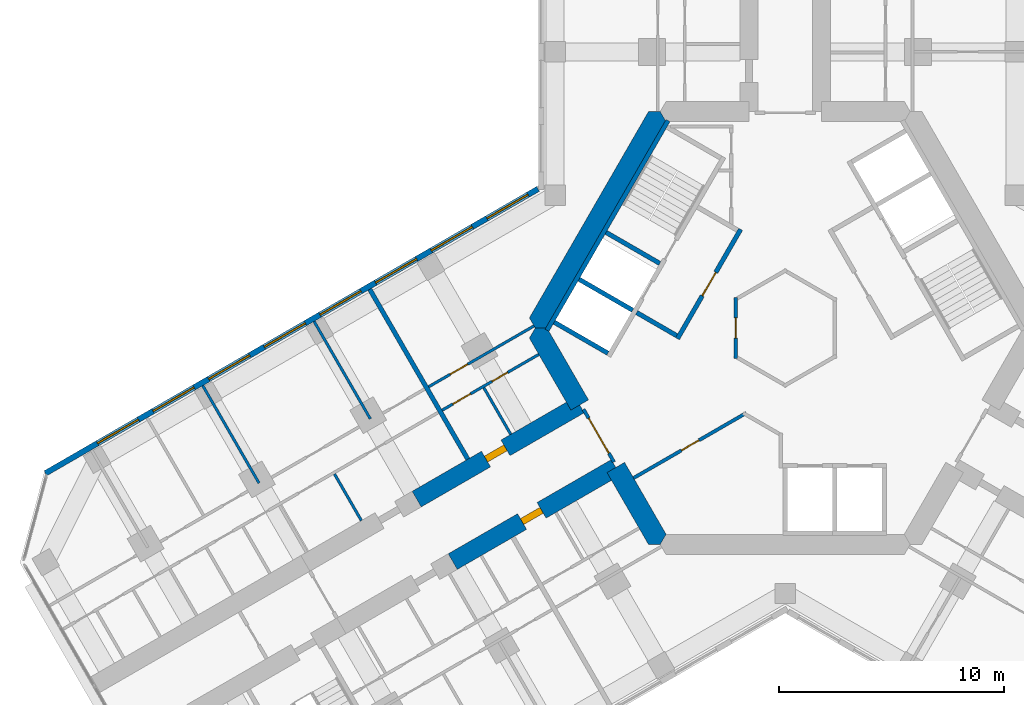
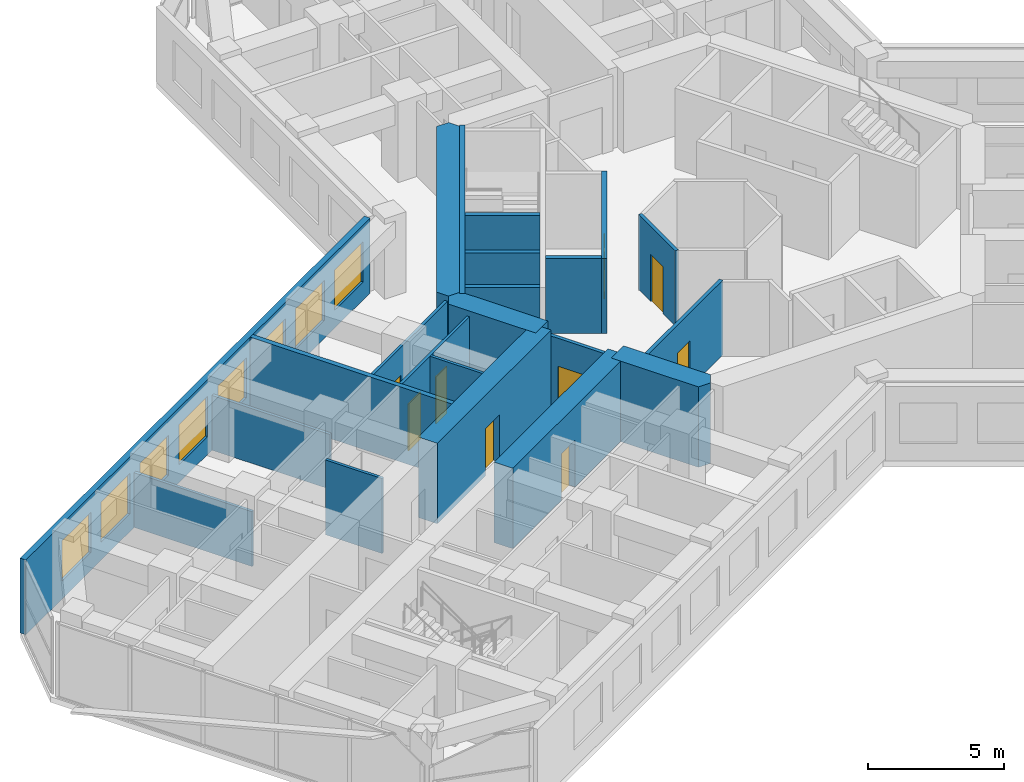
# One storey, part 12 of 19: 22 walls, 9 doors, 8 windows, 17 openings.
"""IFC4 building model written with IfcOpenShell, lengths in metres."""

from ifc_helpers import new_model, si_unit, direction, frame, frame_2d, origin, place, context, subcontext, project, spatial, polyline, rectangle, outline, extrude, material, layer, layer_set, type_object, element, fill, save


model = new_model("IFC4")

# Units and contexts
model_context = context("Model", 3, precision=1e-05, world=origin(), true_north=direction((0.0, 1.0)))
body_context = subcontext(model_context, "Body", "Model", "MODEL_VIEW")
ifc_project = project(units=[si_unit("LENGTHUNIT", "METRE"), si_unit("AREAUNIT", "SQUARE_METRE"), si_unit("VOLUMEUNIT", "CUBIC_METRE"), si_unit("PLANEANGLEUNIT", "RADIAN"), si_unit("MASSUNIT", "GRAM", prefix="KILO")], contexts=[model_context])

# Site, building, storey
site_placement = place(None, origin())
site = spatial("IfcSite", under=ifc_project, at=site_placement, CompositionType="ELEMENT")
building_placement = place(site_placement, origin())
building = spatial("IfcBuilding", under=site, at=building_placement, Name="Kosmar Iwan School Tower", CompositionType="ELEMENT")
storey_placement = place(building_placement, frame((0.0, 0.0, 138.199951171875)))
storey = spatial("IfcBuildingStorey", under=building, at=storey_placement, Name="L34", CompositionType="ELEMENT", Elevation=138.199951171875)

# Wall, opening, door
ifc_material_1 = material(Name="Gypsum board on steel studs, fire-rated", Category="steel")
ifc_layer_1 = layer(ifc_material_1, 0.14990234375)
ifc_layer_set_1 = layer_set([ifc_layer_1], Name="Core room partition 150")
wall_type_1 = type_object("IfcWallType", Name="Core room partition 150", PredefinedType="PARTITIONING", material=ifc_layer_set_1)
wall_1_placement = place(storey_placement, frame((-6.728515625, -6.656005859375, 0.0), z_axis=(0.0, 0.0, 1.0), x_axis=(0.866017062469, 0.500014447304, 0.0)))
wall_1 = element("IfcWall", 1, at=wall_1_placement, inside=storey, type_object=wall_type_1, Name="Core room partition L34-CW5", PredefinedType="PARTITIONING", context=body_context, shape_type="SweptSolid", body=[
    extrude(rectangle(XDim=5.765869140625, YDim=0.14990234375, at=frame_2d((2.8828125, 0.0))), origin(), (0.0, 0.0, 1.0), 3.35009765625),
])
opening_1_placement = place(wall_1_placement, frame((2.452880859375, 0.0, 0.0)))
opening_1 = element("IfcOpeningElement", 2, at=opening_1_placement, cuts=wall_1, Name="Opening D14", PredefinedType="OPENING", context=body_context, shape_type="SweptSolid", body=[
    extrude(rectangle(XDim=0.89990234375, YDim=2.10009765625, at=frame_2d((0.449951171875, 1.050048828125))), frame((0.0, 0.0869140625, 0.0), z_axis=(0.0, -1.0, 0.0), x_axis=(1.0, 0.0, 0.0)), (0.0, 0.0, 1.0), 0.173828125),
])
ifc_material_2 = material(Name="Timber fire door in steel frame", Category="steel")
door_type_1 = type_object("IfcDoorType", Name="Core room door 900x2100", OperationType="SINGLE_SWING_LEFT", PredefinedType="DOOR", material=ifc_material_2)
door_1_placement = place(opening_1_placement, origin())
door_1 = element("IfcDoor", 3, at=door_1_placement, inside=storey, type_object=door_type_1, Name="Parcel room door L34 3", OperationType="SINGLE_SWING_LEFT", OverallHeight=2.10009765625, OverallWidth=0.89990234375, PredefinedType="DOOR", context=body_context, shape_type="SweptSolid", body=[
    extrude(rectangle(XDim=0.89990234375, YDim=2.10009765625, at=frame_2d((0.449951171875, 1.050048828125))), frame((0.0, 0.02490234375, 0.0), z_axis=(0.0, -1.0, 0.0), x_axis=(1.0, 0.0, 0.0)), (0.0, 0.0, 1.0), 0.050048828125),
])
fill(opening_1, door_1)

wall_2_placement = place(storey_placement, frame((-2.199951171875, -1.34521484375, 0.0), z_axis=(0.0, 0.0, 1.0), x_axis=(0.0, 1.0, 0.0)))
wall_2 = element("IfcWall", 4, at=wall_2_placement, inside=storey, type_object=wall_type_1, Name="Core room partition L34-CW10", PredefinedType="PARTITIONING", context=body_context, shape_type="SweptSolid", body=[
    extrude(rectangle(XDim=2.6904296875, YDim=0.14990234375, at=frame_2d((1.34521484375, 0.0))), origin(), (0.0, 0.0, 1.0), 3.35009765625),
])
opening_2_placement = place(wall_2_placement, frame((0.89501953125, 0.0, 0.0)))
opening_2 = element("IfcOpeningElement", 5, at=opening_2_placement, cuts=wall_2, Name="Opening D14", PredefinedType="OPENING", context=body_context, shape_type="SweptSolid", body=[
    extrude(rectangle(XDim=0.89990234375, YDim=2.10009765625, at=frame_2d((0.449951171875, 1.050048828125))), frame((0.0, 0.0869140625, 0.0), z_axis=(0.0, -1.0, 0.0), x_axis=(1.0, 0.0, 0.0)), (0.0, 0.0, 1.0), 0.173828125),
])
door_2_placement = place(opening_2_placement, origin())
door_2 = element("IfcDoor", 6, at=door_2_placement, inside=storey, type_object=door_type_1, Name="Housekeeping store door L34 4", OperationType="SINGLE_SWING_RIGHT", OverallHeight=2.10009765625, OverallWidth=0.89990234375, PredefinedType="DOOR", context=body_context, shape_type="SweptSolid", body=[
    extrude(rectangle(XDim=0.89990234375, YDim=2.10009765625, at=frame_2d((0.449951171875, 1.050048828125))), frame((0.0, 0.02490234375, 0.0), z_axis=(0.0, -1.0, 0.0), x_axis=(1.0, 0.0, 0.0)), (0.0, 0.0, 1.0), 0.050048828125),
])
fill(opening_2, door_2)

# Walls
ifc_material_3 = material(Name="Concrete C50/60", Category="concrete")
ifc_layer_2 = layer(ifc_material_3, 0.89990234375)
ifc_layer_set_2 = layer_set([ifc_layer_2], Name="Core wall 900")
wall_type_2 = type_object("IfcWallType", Name="Core wall 900", PredefinedType="SHEAR", material=ifc_layer_set_2)
wall_3_placement = place(storey_placement, origin())
element("IfcWall", 7, at=wall_3_placement, inside=storey, type_object=wall_type_2, Name="Core wall F150", PredefinedType="SHEAR", context=body_context, shape_type="SweptSolid", body=[
    extrude(outline(polyline([(-11.085205078125, 0.0), (-10.5654296875, 0.0), (-5.28271484375, 9.14990234375), (-5.54248046875, 9.60009765625), (-6.062255859375, 9.60009765625), (-11.344970703125, 0.449951171875), (-11.085205078125, 0.0)])), origin(), (0.0, 0.0, 1.0), 3.60009765625),
])
wall_4_placement = place(storey_placement, origin())
element("IfcWall", 8, at=wall_4_placement, inside=storey, type_object=wall_type_2, Name="Core wall F210a", PredefinedType="SHEAR", context=body_context, shape_type="SweptSolid", body=[
    extrude(outline(polyline([(-9.503662109375, -3.639404296875), (-8.72412109375, -3.189453125), (-10.5654296875, 0.0), (-11.085205078125, 0.0), (-11.344970703125, -0.449951171875), (-9.503662109375, -3.639404296875)])), origin(), (0.0, 0.0, 1.0), 3.60009765625),
])
wall_5_placement = place(storey_placement, origin())
element("IfcWall", 9, at=wall_5_placement, inside=storey, type_object=wall_type_2, Name="Core wall F210b", PredefinedType="SHEAR", context=body_context, shape_type="SweptSolid", body=[
    extrude(outline(polyline([(-6.062255859375, -9.60009765625), (-5.54248046875, -9.60009765625), (-5.28271484375, -9.14990234375), (-7.1240234375, -5.960693359375), (-7.903564453125, -6.41064453125), (-6.062255859375, -9.60009765625)])), origin(), (0.0, 0.0, 1.0), 3.60009765625),
])

# Wall, opening, door
ifc_material_4 = material(Name="Concrete C50/60", Category="concrete")
ifc_layer_3 = layer(ifc_material_4, 0.800048828125)
ifc_layer_set_3 = layer_set([ifc_layer_3], Name="Corridor buttress wall 800")
wall_type_3 = type_object("IfcWallType", Name="Corridor buttress wall 800", PredefinedType="SHEAR", material=ifc_layer_set_3)
wall_6_placement = place(storey_placement, frame((-7.513916015625, -6.185546875, 0.0), z_axis=(0.0, 0.0, 1.0), x_axis=(-0.866019549707, -0.500010139422, 0.0)))
wall_6 = element("IfcWall", 10, at=wall_6_placement, inside=storey, type_object=wall_type_3, Name="Corridor wall BL", PredefinedType="SHEAR", context=body_context, shape_type="SweptSolid", body=[
    extrude(rectangle(XDim=8.349853515625, YDim=0.800048828125, at=frame_2d((4.1748046875, 0.0))), origin(), (0.0, 0.0, 1.0), 3.60009765625),
])
opening_3_placement = place(wall_6_placement, frame((3.800048828125, 0.0, 0.0)))
opening_3 = element("IfcOpeningElement", 11, at=opening_3_placement, cuts=wall_6, Name="Opening D1", PredefinedType="OPENING", context=body_context, shape_type="SweptSolid", body=[
    extrude(rectangle(XDim=1.0, YDim=2.10009765625, at=frame_2d((0.5, 1.050048828125))), frame((0.0, 0.412109375, 0.0), z_axis=(0.0, -1.0, 0.0), x_axis=(1.0, 0.0, 0.0)), (0.0, 0.0, 1.0), 0.823974609375),
])
ifc_material_5 = material(Name="Timber fire door in steel frame", Category="steel")
door_type_2 = type_object("IfcDoorType", Name="Flat entrance door 1000x2100", OperationType="SINGLE_SWING_LEFT", PredefinedType="DOOR", material=ifc_material_5)
door_3_placement = place(opening_3_placement, origin())
door_3 = element("IfcDoor", 12, at=door_3_placement, inside=storey, type_object=door_type_2, Name="Flat L34-BL1 entrance door", OperationType="SINGLE_SWING_LEFT", OverallHeight=2.10009765625, OverallWidth=1.0, PredefinedType="DOOR", context=body_context, shape_type="SweptSolid", body=[
    extrude(rectangle(XDim=1.0, YDim=2.10009765625, at=frame_2d((0.5, 1.050048828125))), frame((0.0, 0.14990234375, 0.0), z_axis=(0.0, -1.0, 0.0), x_axis=(1.0, 0.0, 0.0)), (0.0, 0.0, 1.0), 0.300048828125),
])
fill(opening_3, door_3)

wall_7_placement = place(storey_placement, frame((-9.11376953125, -3.414306640625, 0.0), z_axis=(0.0, 0.0, 1.0), x_axis=(-0.866026859388, -0.499997478812, 0.0)))
wall_7 = element("IfcWall", 13, at=wall_7_placement, inside=storey, type_object=wall_type_3, Name="Corridor wall BR", PredefinedType="SHEAR", context=body_context, shape_type="SweptSolid", body=[
    extrude(rectangle(XDim=8.35009765625, YDim=0.800048828125, at=frame_2d((4.175048828125, 0.0))), origin(), (0.0, 0.0, 1.0), 3.60009765625),
])
opening_4_placement = place(wall_7_placement, frame((3.800048828125, 0.0, 0.0)))
opening_4 = element("IfcOpeningElement", 14, at=opening_4_placement, cuts=wall_7, Name="Opening D1", PredefinedType="OPENING", context=body_context, shape_type="SweptSolid", body=[
    extrude(rectangle(XDim=1.0, YDim=2.10009765625, at=frame_2d((0.5, 1.050048828125))), frame((0.0, 0.412109375, 0.0), z_axis=(0.0, -1.0, 0.0), x_axis=(1.0, 0.0, 0.0)), (0.0, 0.0, 1.0), 0.823974609375),
])
door_4_placement = place(opening_4_placement, origin())
door_4 = element("IfcDoor", 15, at=door_4_placement, inside=storey, type_object=door_type_2, Name="Flat L34-BR1 entrance door", OperationType="SINGLE_SWING_RIGHT", OverallHeight=2.10009765625, OverallWidth=1.0, PredefinedType="DOOR", context=body_context, shape_type="SweptSolid", body=[
    extrude(rectangle(XDim=1.0, YDim=2.10009765625, at=frame_2d((0.5, 1.050048828125))), frame((0.0, 0.14990234375, 0.0), z_axis=(0.0, -1.0, 0.0), x_axis=(1.0, 0.0, 0.0)), (0.0, 0.0, 1.0), 0.300048828125),
])
fill(opening_4, door_4)

ifc_material_6 = material(Name="Steel framed glazed screen", Category="steel")
ifc_layer_4 = layer(ifc_material_6, 0.14990234375)
ifc_layer_set_4 = layer_set([ifc_layer_4], Name="Corridor screen wall 150")
wall_type_4 = type_object("IfcWallType", Name="Corridor screen wall 150", PredefinedType="PARTITIONING", material=ifc_layer_set_4)
wall_8_placement = place(storey_placement, frame((-8.945556640625, -3.60595703125, 0.0), z_axis=(0.0, 0.0, 1.0), x_axis=(0.500048589285, -0.86599734893, 0.0)))
wall_8 = element("IfcWall", 16, at=wall_8_placement, inside=storey, type_object=wall_type_4, Name="Corridor screen B L34", PredefinedType="PARTITIONING", context=body_context, shape_type="SweptSolid", body=[
    extrude(rectangle(XDim=2.699951171875, YDim=0.14990234375, at=frame_2d((1.35009765625, 0.0))), origin(), (0.0, 0.0, 1.0), 3.35009765625),
])
opening_5_placement = place(wall_8_placement, frame((0.449951171875, 0.0, 0.0)))
opening_5 = element("IfcOpeningElement", 17, at=opening_5_placement, cuts=wall_8, Name="Opening D9", PredefinedType="OPENING", context=body_context, shape_type="SweptSolid", body=[
    extrude(rectangle(XDim=1.800048828125, YDim=2.10009765625, at=frame_2d((0.89990234375, 1.050048828125))), frame((0.0, 0.0869140625, 0.0), z_axis=(0.0, -1.0, 0.0), x_axis=(1.0, 0.0, 0.0)), (0.0, 0.0, 1.0), 0.173828125),
])
ifc_material_7 = material(Name="Steel framed glazed smoke door", Category="steel")
door_type_3 = type_object("IfcDoorType", Name="Corridor smoke door pair 1800x2100", OperationType="DOUBLE_DOOR_DOUBLE_SWING", PredefinedType="DOOR", material=ifc_material_7)
door_5_placement = place(opening_5_placement, origin())
door_5 = element("IfcDoor", 18, at=door_5_placement, inside=storey, type_object=door_type_3, Name="Corridor doors B L34", OperationType="DOUBLE_DOOR_DOUBLE_SWING", OverallHeight=2.10009765625, OverallWidth=1.800048828125, PredefinedType="DOOR", context=body_context, shape_type="SweptSolid", body=[
    extrude(rectangle(XDim=1.800048828125, YDim=2.10009765625, at=frame_2d((0.89990234375, 1.050048828125))), frame((0.0, 0.02490234375, 0.0), z_axis=(0.0, -1.0, 0.0), x_axis=(1.0, 0.0, 0.0)), (0.0, 0.0, 1.0), 0.050048828125),
])
fill(opening_5, door_5)

# Wall, openings, doors
ifc_material_8 = material(Name="Gypsum board on steel studs", Category="steel")
ifc_layer_5 = layer(ifc_material_8, 0.1201171875)
ifc_layer_set_5 = layer_set([ifc_layer_5], Name="Dwelling partition 120")
wall_type_5 = type_object("IfcWallType", Name="Dwelling partition 120", PredefinedType="PARTITIONING", material=ifc_layer_set_5)
wall_9_placement = place(storey_placement, frame((-10.928466796875, -1.171142578125, 0.0), z_axis=(0.0, 0.0, 1.0), x_axis=(-0.866018855338, -0.500011342071, 0.0)))
wall_9 = element("IfcWall", 19, at=wall_9_placement, inside=storey, type_object=wall_type_5, Name="Partition L34-BR1-W1", PredefinedType="PARTITIONING", context=body_context, shape_type="SweptSolid", body=[
    extrude(rectangle(XDim=4.9501953125, YDim=0.1201171875, at=frame_2d((2.47509765625, 0.0))), origin(), (0.0, 0.0, 1.0), 3.35009765625),
])
opening_6_placement = place(wall_9_placement, frame((1.60009765625, 0.0, 0.0)))
opening_6 = element("IfcOpeningElement", 20, at=opening_6_placement, cuts=wall_9, Name="Opening D3", PredefinedType="OPENING", context=body_context, shape_type="SweptSolid", body=[
    extrude(rectangle(XDim=0.800048828125, YDim=2.10009765625, at=frame_2d((0.39990234375, 1.050048828125))), frame((0.0, 0.072021484375, 0.0), z_axis=(0.0, -1.0, 0.0), x_axis=(1.0, 0.0, 0.0)), (0.0, 0.0, 1.0), 0.14404296875),
])
opening_7_placement = place(wall_9_placement, frame((3.5, 0.0, 0.0)))
opening_7 = element("IfcOpeningElement", 21, at=opening_7_placement, cuts=wall_9, Name="Opening D2", PredefinedType="OPENING", context=body_context, shape_type="SweptSolid", body=[
    extrude(rectangle(XDim=0.89990234375, YDim=2.10009765625, at=frame_2d((0.449951171875, 1.050048828125))), frame((0.0, 0.072021484375, 0.0), z_axis=(0.0, -1.0, 0.0), x_axis=(1.0, 0.0, 0.0)), (0.0, 0.0, 1.0), 0.14404296875),
])
ifc_material_9 = material(Name="Timber door in timber frame", Category="wood")
door_type_4 = type_object("IfcDoorType", Name="Internal door 900x2100", OperationType="SINGLE_SWING_LEFT", PredefinedType="DOOR", material=ifc_material_9)
door_6_placement = place(opening_7_placement, origin())
door_6 = element("IfcDoor", 22, at=door_6_placement, inside=storey, type_object=door_type_4, Name="Entrance hall door L34-BR1-S2", OperationType="SINGLE_SWING_RIGHT", OverallHeight=2.10009765625, OverallWidth=0.89990234375, PredefinedType="DOOR", context=body_context, shape_type="SweptSolid", body=[
    extrude(rectangle(XDim=0.89990234375, YDim=2.10009765625, at=frame_2d((0.449951171875, 1.050048828125))), frame((0.0, 0.02490234375, 0.0), z_axis=(0.0, -1.0, 0.0), x_axis=(1.0, 0.0, 0.0)), (0.0, 0.0, 1.0), 0.050048828125),
])
fill(opening_7, door_6)
ifc_material_10 = material(Name="Timber door in timber frame", Category="wood")
door_type_5 = type_object("IfcDoorType", Name="Sanitary room door 800x2100", OperationType="SINGLE_SWING_LEFT", PredefinedType="DOOR", material=ifc_material_10)
door_7_placement = place(opening_6_placement, origin())
door_7 = element("IfcDoor", 23, at=door_7_placement, inside=storey, type_object=door_type_5, Name="Bathroom door L34-BR1-S1", OperationType="SINGLE_SWING_RIGHT", OverallHeight=2.10009765625, OverallWidth=0.800048828125, PredefinedType="DOOR", context=body_context, shape_type="SweptSolid", body=[
    extrude(rectangle(XDim=0.800048828125, YDim=2.10009765625, at=frame_2d((0.39990234375, 1.050048828125))), frame((0.0, 0.02490234375, 0.0), z_axis=(0.0, -1.0, 0.0), x_axis=(1.0, 0.0, 0.0)), (0.0, 0.0, 1.0), 0.050048828125),
])
fill(opening_6, door_7)

# Wall, opening, door
wall_10_placement = place(storey_placement, frame((-11.138916015625, 0.093017578125, 0.0), z_axis=(0.0, 0.0, 1.0), x_axis=(-0.866028230842, -0.499995103361, 0.0)))
wall_10 = element("IfcWall", 24, at=wall_10_placement, inside=storey, type_object=wall_type_5, Name="Partition L34-BR1-W2", PredefinedType="PARTITIONING", context=body_context, shape_type="SweptSolid", body=[
    extrude(rectangle(XDim=5.39990234375, YDim=0.1201171875, at=frame_2d((2.699951171875, 0.0))), origin(), (0.0, 0.0, 1.0), 3.35009765625),
])
opening_8_placement = place(wall_10_placement, frame((3.39990234375, 0.0, 0.0)))
opening_8 = element("IfcOpeningElement", 25, at=opening_8_placement, cuts=wall_10, Name="Opening D2", PredefinedType="OPENING", context=body_context, shape_type="SweptSolid", body=[
    extrude(rectangle(XDim=0.89990234375, YDim=2.10009765625, at=frame_2d((0.449951171875, 1.050048828125))), frame((0.0, 0.072021484375, 0.0), z_axis=(0.0, -1.0, 0.0), x_axis=(1.0, 0.0, 0.0)), (0.0, 0.0, 1.0), 0.14404296875),
])
door_8_placement = place(opening_8_placement, origin())
door_8 = element("IfcDoor", 26, at=door_8_placement, inside=storey, type_object=door_type_4, Name="Studio living room and kitchen door L34-BR1-F1", OperationType="SINGLE_SWING_RIGHT", OverallHeight=2.10009765625, OverallWidth=0.89990234375, PredefinedType="DOOR", context=body_context, shape_type="SweptSolid", body=[
    extrude(rectangle(XDim=0.89990234375, YDim=2.10009765625, at=frame_2d((0.449951171875, 1.050048828125))), frame((0.0, 0.02490234375, 0.0), z_axis=(0.0, -1.0, 0.0), x_axis=(1.0, 0.0, 0.0)), (0.0, 0.0, 1.0), 0.050048828125),
])
fill(opening_8, door_8)

# Walls
wall_11_placement = place(storey_placement, frame((-12.171630859375, -4.718017578125, 0.0), z_axis=(0.0, 0.0, 1.0), x_axis=(-0.500017192868, 0.86601547725, 0.0)))
element("IfcWall", 27, at=wall_11_placement, inside=storey, type_object=wall_type_5, Name="Partition L34-BR1-Y1", PredefinedType="PARTITIONING", context=body_context, shape_type="SweptSolid", body=[
    extrude(rectangle(XDim=2.39013671875, YDim=0.1201171875, at=frame_2d((1.195068359375, 0.0))), origin(), (0.0, 0.0, 1.0), 3.35009765625),
])
wall_12_placement = place(storey_placement, frame((-18.400146484375, -4.030029296875, 0.0), z_axis=(0.0, 0.0, 1.0), x_axis=(-0.500011847778, 0.866018563358, 0.0)))
element("IfcWall", 28, at=wall_12_placement, inside=storey, type_object=wall_type_5, Name="Partition L34-BR2-X1", PredefinedType="PARTITIONING", context=body_context, shape_type="SweptSolid", body=[
    extrude(rectangle(XDim=4.990234375, YDim=0.1201171875, at=frame_2d((2.4951171875, 0.0))), origin(), (0.0, 0.0, 1.0), 2.449951171875),
])
wall_13_placement = place(storey_placement, frame((-23.33642578125, -6.8798828125, 0.0), z_axis=(0.0, 0.0, 1.0), x_axis=(-0.500033033937, 0.866006330792, 0.0)))
element("IfcWall", 29, at=wall_13_placement, inside=storey, type_object=wall_type_5, Name="Partition L34-BR2-X2", PredefinedType="PARTITIONING", context=body_context, shape_type="SweptSolid", body=[
    extrude(rectangle(XDim=4.989990234375, YDim=0.1201171875, at=frame_2d((2.4951171875, 0.0))), origin(), (0.0, 0.0, 1.0), 2.449951171875),
])
wall_14_placement = place(storey_placement, frame((-18.796875, -8.54296875, 0.0), z_axis=(0.0, 0.0, 1.0), x_axis=(-0.500017192868, 0.86601547725, 0.0)))
element("IfcWall", 30, at=wall_14_placement, inside=storey, type_object=wall_type_5, Name="Partition L34-BR2-Y1", PredefinedType="PARTITIONING", context=body_context, shape_type="SweptSolid", body=[
    extrude(rectangle(XDim=2.39013671875, YDim=0.1201171875, at=frame_2d((1.195068359375, 0.0))), origin(), (0.0, 0.0, 1.0), 3.35009765625),
])

# Wall, openings, windows
ifc_material_11 = material(Name="Black aluminium rainscreen on insulated framing", Category="aluminium")
ifc_layer_6 = layer(ifc_material_11, 0.25)
ifc_layer_set_6 = layer_set([ifc_layer_6], Name="External wall rainscreen 250")
wall_type_6 = type_object("IfcWallType", Name="External wall rainscreen 250", PredefinedType="SOLIDWALL", material=ifc_layer_set_6)
wall_15_placement = place(storey_placement, frame((-10.962890625, 6.170166015625, 0.0), z_axis=(0.0, 0.0, 1.0), x_axis=(-0.86602796634, -0.499995561497, 0.0)))
wall_15 = element("IfcWall", 31, at=wall_15_placement, inside=storey, type_object=wall_type_6, Name="External wall BR L34", PredefinedType="SOLIDWALL", context=body_context, shape_type="SweptSolid", body=[
    extrude(rectangle(XDim=25.226318359375, YDim=0.25, at=frame_2d((12.61328125, 0.0))), origin(), (0.0, 0.0, 1.0), 3.35009765625),
])
opening_9_placement = place(wall_15_placement, frame((0.51611328125, 0.0, 0.800048828125)))
opening_9 = element("IfcOpeningElement", 32, at=opening_9_placement, cuts=wall_15, Name="Opening W4", PredefinedType="OPENING", context=body_context, shape_type="SweptSolid", body=[
    extrude(rectangle(XDim=2.10009765625, YDim=1.800048828125, at=frame_2d((1.050048828125, 0.89990234375))), frame((0.0, 0.136962890625, 0.0), z_axis=(0.0, -1.0, 0.0), x_axis=(1.0, 0.0, 0.0)), (0.0, 0.0, 1.0), 0.27392578125),
])
opening_10_placement = place(wall_15_placement, frame((3.365966796875, 0.0, 0.800048828125)))
opening_10 = element("IfcOpeningElement", 33, at=opening_10_placement, cuts=wall_15, Name="Opening W4", PredefinedType="OPENING", context=body_context, shape_type="SweptSolid", body=[
    extrude(rectangle(XDim=2.10009765625, YDim=1.800048828125, at=frame_2d((1.050048828125, 0.89990234375))), frame((0.0, 0.136962890625, 0.0), z_axis=(0.0, -1.0, 0.0), x_axis=(1.0, 0.0, 0.0)), (0.0, 0.0, 1.0), 0.27392578125),
])
opening_11_placement = place(wall_15_placement, frame((6.216064453125, 0.0, 0.800048828125)))
opening_11 = element("IfcOpeningElement", 34, at=opening_11_placement, cuts=wall_15, Name="Opening W4", PredefinedType="OPENING", context=body_context, shape_type="SweptSolid", body=[
    extrude(rectangle(XDim=2.10009765625, YDim=1.800048828125, at=frame_2d((1.050048828125, 0.89990234375))), frame((0.0, 0.136962890625, 0.0), z_axis=(0.0, -1.0, 0.0), x_axis=(1.0, 0.0, 0.0)), (0.0, 0.0, 1.0), 0.27392578125),
])
opening_12_placement = place(wall_15_placement, frame((9.06591796875, 0.0, 0.800048828125)))
opening_12 = element("IfcOpeningElement", 35, at=opening_12_placement, cuts=wall_15, Name="Opening W4", PredefinedType="OPENING", context=body_context, shape_type="SweptSolid", body=[
    extrude(rectangle(XDim=2.10009765625, YDim=1.800048828125, at=frame_2d((1.050048828125, 0.89990234375))), frame((0.0, 0.136962890625, 0.0), z_axis=(0.0, -1.0, 0.0), x_axis=(1.0, 0.0, 0.0)), (0.0, 0.0, 1.0), 0.27392578125),
])
opening_13_placement = place(wall_15_placement, frame((11.916015625, 0.0, 0.800048828125)))
opening_13 = element("IfcOpeningElement", 36, at=opening_13_placement, cuts=wall_15, Name="Opening W4", PredefinedType="OPENING", context=body_context, shape_type="SweptSolid", body=[
    extrude(rectangle(XDim=2.10009765625, YDim=1.800048828125, at=frame_2d((1.050048828125, 0.89990234375))), frame((0.0, 0.136962890625, 0.0), z_axis=(0.0, -1.0, 0.0), x_axis=(1.0, 0.0, 0.0)), (0.0, 0.0, 1.0), 0.27392578125),
])
opening_14_placement = place(wall_15_placement, frame((14.76611328125, 0.0, 0.800048828125)))
opening_14 = element("IfcOpeningElement", 37, at=opening_14_placement, cuts=wall_15, Name="Opening W4", PredefinedType="OPENING", context=body_context, shape_type="SweptSolid", body=[
    extrude(rectangle(XDim=2.10009765625, YDim=1.800048828125, at=frame_2d((1.050048828125, 0.89990234375))), frame((0.0, 0.136962890625, 0.0), z_axis=(0.0, -1.0, 0.0), x_axis=(1.0, 0.0, 0.0)), (0.0, 0.0, 1.0), 0.27392578125),
])
opening_15_placement = place(wall_15_placement, frame((17.615966796875, 0.0, 0.800048828125)))
opening_15 = element("IfcOpeningElement", 38, at=opening_15_placement, cuts=wall_15, Name="Opening W4", PredefinedType="OPENING", context=body_context, shape_type="SweptSolid", body=[
    extrude(rectangle(XDim=2.10009765625, YDim=1.800048828125, at=frame_2d((1.050048828125, 0.89990234375))), frame((0.0, 0.136962890625, 0.0), z_axis=(0.0, -1.0, 0.0), x_axis=(1.0, 0.0, 0.0)), (0.0, 0.0, 1.0), 0.27392578125),
])
opening_16_placement = place(wall_15_placement, frame((20.466064453125, 0.0, 0.800048828125)))
opening_16 = element("IfcOpeningElement", 39, at=opening_16_placement, cuts=wall_15, Name="Opening W4", PredefinedType="OPENING", context=body_context, shape_type="SweptSolid", body=[
    extrude(rectangle(XDim=2.10009765625, YDim=1.800048828125, at=frame_2d((1.050048828125, 0.89990234375))), frame((0.0, 0.136962890625, 0.0), z_axis=(0.0, -1.0, 0.0), x_axis=(1.0, 0.0, 0.0)), (0.0, 0.0, 1.0), 0.27392578125),
])
ifc_material_12 = material(Name="Black aluminium frame with dark triple glazing", Category="aluminium")
window_type = type_object("IfcWindowType", Name="Window 2100x1800", PartitioningType="SINGLE_PANEL", PredefinedType="WINDOW", material=ifc_material_12)
window_1_placement = place(opening_9_placement, origin())
window_1 = element("IfcWindow", 40, at=window_1_placement, inside=storey, type_object=window_type, Name="Window BR L34 -1", OverallHeight=1.800048828125, OverallWidth=2.10009765625, PartitioningType="SINGLE_PANEL", PredefinedType="WINDOW", context=body_context, shape_type="SweptSolid", body=[
    extrude(rectangle(XDim=2.10009765625, YDim=1.800048828125, at=frame_2d((1.050048828125, 0.89990234375))), frame((0.0, 0.030029296875, 0.0), z_axis=(0.0, -1.0, 0.0), x_axis=(1.0, 0.0, 0.0)), (0.0, 0.0, 1.0), 0.06005859375),
])
fill(opening_9, window_1)
window_2_placement = place(opening_10_placement, origin())
window_2 = element("IfcWindow", 41, at=window_2_placement, inside=storey, type_object=window_type, Name="Window BR L34 0", OverallHeight=1.800048828125, OverallWidth=2.10009765625, PartitioningType="SINGLE_PANEL", PredefinedType="WINDOW", context=body_context, shape_type="SweptSolid", body=[
    extrude(rectangle(XDim=2.10009765625, YDim=1.800048828125, at=frame_2d((1.050048828125, 0.89990234375))), frame((0.0, 0.030029296875, 0.0), z_axis=(0.0, -1.0, 0.0), x_axis=(1.0, 0.0, 0.0)), (0.0, 0.0, 1.0), 0.06005859375),
])
fill(opening_10, window_2)
window_3_placement = place(opening_11_placement, origin())
window_3 = element("IfcWindow", 42, at=window_3_placement, inside=storey, type_object=window_type, Name="Window BR L34 1", OverallHeight=1.800048828125, OverallWidth=2.10009765625, PartitioningType="SINGLE_PANEL", PredefinedType="WINDOW", context=body_context, shape_type="SweptSolid", body=[
    extrude(rectangle(XDim=2.10009765625, YDim=1.800048828125, at=frame_2d((1.050048828125, 0.89990234375))), frame((0.0, 0.030029296875, 0.0), z_axis=(0.0, -1.0, 0.0), x_axis=(1.0, 0.0, 0.0)), (0.0, 0.0, 1.0), 0.06005859375),
])
fill(opening_11, window_3)
window_4_placement = place(opening_12_placement, origin())
window_4 = element("IfcWindow", 43, at=window_4_placement, inside=storey, type_object=window_type, Name="Window BR L34 2", OverallHeight=1.800048828125, OverallWidth=2.10009765625, PartitioningType="SINGLE_PANEL", PredefinedType="WINDOW", context=body_context, shape_type="SweptSolid", body=[
    extrude(rectangle(XDim=2.10009765625, YDim=1.800048828125, at=frame_2d((1.050048828125, 0.89990234375))), frame((0.0, 0.030029296875, 0.0), z_axis=(0.0, -1.0, 0.0), x_axis=(1.0, 0.0, 0.0)), (0.0, 0.0, 1.0), 0.06005859375),
])
fill(opening_12, window_4)
window_5_placement = place(opening_13_placement, origin())
window_5 = element("IfcWindow", 44, at=window_5_placement, inside=storey, type_object=window_type, Name="Window BR L34 3", OverallHeight=1.800048828125, OverallWidth=2.10009765625, PartitioningType="SINGLE_PANEL", PredefinedType="WINDOW", context=body_context, shape_type="SweptSolid", body=[
    extrude(rectangle(XDim=2.10009765625, YDim=1.800048828125, at=frame_2d((1.050048828125, 0.89990234375))), frame((0.0, 0.030029296875, 0.0), z_axis=(0.0, -1.0, 0.0), x_axis=(1.0, 0.0, 0.0)), (0.0, 0.0, 1.0), 0.06005859375),
])
fill(opening_13, window_5)
window_6_placement = place(opening_14_placement, origin())
window_6 = element("IfcWindow", 45, at=window_6_placement, inside=storey, type_object=window_type, Name="Window BR L34 4", OverallHeight=1.800048828125, OverallWidth=2.10009765625, PartitioningType="SINGLE_PANEL", PredefinedType="WINDOW", context=body_context, shape_type="SweptSolid", body=[
    extrude(rectangle(XDim=2.10009765625, YDim=1.800048828125, at=frame_2d((1.050048828125, 0.89990234375))), frame((0.0, 0.030029296875, 0.0), z_axis=(0.0, -1.0, 0.0), x_axis=(1.0, 0.0, 0.0)), (0.0, 0.0, 1.0), 0.06005859375),
])
fill(opening_14, window_6)
window_7_placement = place(opening_15_placement, origin())
window_7 = element("IfcWindow", 46, at=window_7_placement, inside=storey, type_object=window_type, Name="Window BR L34 5", OverallHeight=1.800048828125, OverallWidth=2.10009765625, PartitioningType="SINGLE_PANEL", PredefinedType="WINDOW", context=body_context, shape_type="SweptSolid", body=[
    extrude(rectangle(XDim=2.10009765625, YDim=1.800048828125, at=frame_2d((1.050048828125, 0.89990234375))), frame((0.0, 0.030029296875, 0.0), z_axis=(0.0, -1.0, 0.0), x_axis=(1.0, 0.0, 0.0)), (0.0, 0.0, 1.0), 0.06005859375),
])
fill(opening_15, window_7)
window_8_placement = place(opening_16_placement, origin())
window_8 = element("IfcWindow", 47, at=window_8_placement, inside=storey, type_object=window_type, Name="Window BR L34 6", OverallHeight=1.800048828125, OverallWidth=2.10009765625, PartitioningType="SINGLE_PANEL", PredefinedType="WINDOW", context=body_context, shape_type="SweptSolid", body=[
    extrude(rectangle(XDim=2.10009765625, YDim=1.800048828125, at=frame_2d((1.050048828125, 0.89990234375))), frame((0.0, 0.030029296875, 0.0), z_axis=(0.0, -1.0, 0.0), x_axis=(1.0, 0.0, 0.0)), (0.0, 0.0, 1.0), 0.06005859375),
])
fill(opening_16, window_8)

# Wall, opening, door
ifc_material_13 = material(Name="Concrete block masonry", Category="masonry")
ifc_layer_7 = layer(ifc_material_13, 0.199951171875)
ifc_layer_set_7 = layer_set([ifc_layer_7], Name="Fire lobby wall 200")
wall_type_7 = type_object("IfcWallType", Name="Fire lobby wall 200", PredefinedType="PARTITIONING", material=ifc_layer_set_7)
wall_16_placement = place(storey_placement, frame((-1.9775390625, 4.374755859375, 0.0), z_axis=(0.0, 0.0, 1.0), x_axis=(-0.500016814911, -0.866015695474, 0.0)))
wall_16 = element("IfcWall", 48, at=wall_16_placement, inside=storey, type_object=wall_type_7, Name="Firefighting lobby wall ST2", PredefinedType="PARTITIONING", context=body_context, shape_type="SweptSolid", body=[
    extrude(rectangle(XDim=5.599853515625, YDim=0.199951171875, at=frame_2d((2.7998046875, 0.0))), origin(), (0.0, 0.0, 1.0), 3.35009765625),
])
opening_17_placement = place(wall_16_placement, frame((2.199951171875, 0.0, 0.0)))
opening_17 = element("IfcOpeningElement", 49, at=opening_17_placement, cuts=wall_16, Name="Opening D7", PredefinedType="OPENING", context=body_context, shape_type="SweptSolid", body=[
    extrude(rectangle(XDim=1.199951171875, YDim=2.10009765625, at=frame_2d((0.60009765625, 1.050048828125))), frame((0.0, 0.112060546875, 0.0), z_axis=(0.0, -1.0, 0.0), x_axis=(1.0, 0.0, 0.0)), (0.0, 0.0, 1.0), 0.223876953125),
])
ifc_material_14 = material(Name="Steel fire door", Category="steel")
door_type_6 = type_object("IfcDoorType", Name="Fire lobby door 1200x2100", OperationType="SINGLE_SWING_LEFT", PredefinedType="DOOR", material=ifc_material_14)
door_9_placement = place(opening_17_placement, origin())
door_9 = element("IfcDoor", 50, at=door_9_placement, inside=storey, type_object=door_type_6, Name="Firefighting lobby door ST2 L34", OperationType="SINGLE_SWING_LEFT", OverallHeight=2.10009765625, OverallWidth=1.199951171875, PredefinedType="DOOR", context=body_context, shape_type="SweptSolid", body=[
    extrude(rectangle(XDim=1.199951171875, YDim=2.10009765625, at=frame_2d((0.60009765625, 1.050048828125))), frame((0.0, 0.02490234375, 0.0), z_axis=(0.0, -1.0, 0.0), x_axis=(1.0, 0.0, 0.0)), (0.0, 0.0, 1.0), 0.050048828125),
])
fill(opening_17, door_9)

# Walls
wall_17_placement = place(storey_placement, frame((-4.814208984375, -0.33837890625, 0.0), z_axis=(0.0, 0.0, 1.0), x_axis=(-0.865969381856, 0.500097020274, 0.0)))
element("IfcWall", 51, at=wall_17_placement, inside=storey, type_object=wall_type_7, Name="Firefighting lobby wall ST2", PredefinedType="PARTITIONING", context=body_context, shape_type="SweptSolid", body=[
    extrude(rectangle(XDim=2.0498046875, YDim=0.199951171875, at=frame_2d((1.02490234375, 0.0))), origin(), (0.0, 0.0, 1.0), 3.35009765625),
])
ifc_material_15 = material(Name="Concrete C50/60", Category="concrete")
ifc_layer_8 = layer(ifc_material_15, 0.199951171875)
ifc_layer_set_8 = layer_set([ifc_layer_8], Name="Lift shaft wall 200")
wall_type_8 = type_object("IfcWallType", Name="Lift shaft wall 200", PredefinedType="SHEAR", material=ifc_layer_set_8)
wall_18_placement = place(storey_placement, frame((-5.196044921875, 9.199951171875, 0.0), z_axis=(0.0, 0.0, 1.0), x_axis=(-0.499999935134, -0.866025441235, 0.0)))
element("IfcWall", 52, at=wall_18_placement, inside=storey, type_object=wall_type_8, Name="Lift and stair back wall AB", PredefinedType="SHEAR", context=body_context, shape_type="SweptSolid", body=[
    extrude(rectangle(XDim=10.73876953125, YDim=0.199951171875, at=frame_2d((5.369384765625, 0.0))), origin(), (0.0, 0.0, 1.0), 3.60009765625),
])
for number, where, z_axis, x_axis, name in (
    (53, (-6.7626953125, 0.78662109375, 0.0), (0.0, 0.0, 1.0), (-0.866027397988, 0.499996545922, 0.0), "Lift shaft wall AB 1"),
    (54, (-7.862548828125, -1.118408203125, 0.0), (0.0, 0.0, 1.0), (-0.866027397988, 0.499996545922, 0.0), "Lift shaft wall AB 2"),
):
    element("IfcWall", number, at=place(storey_placement, frame(where, z_axis=z_axis, x_axis=x_axis)), inside=storey, type_object=wall_type_8, Name=name, PredefinedType="SHEAR", context=body_context, shape_type="SweptSolid", body=[
        extrude(rectangle(XDim=2.75, YDim=0.199951171875, at=frame_2d((1.375, 0.0))), origin(), (0.0, 0.0, 1.0), 3.60009765625),
    ])
ifc_material_16 = material(Name="Concrete block masonry", Category="masonry")
ifc_layer_9 = layer(ifc_material_16, 0.199951171875)
ifc_layer_set_9 = layer_set([ifc_layer_9], Name="Party wall 200")
wall_type_9 = type_object("IfcWallType", Name="Party wall 200", PredefinedType="PARTITIONING", material=ifc_layer_set_9)
wall_19_placement = place(storey_placement, frame((-14.076904296875, -5.81787109375, 0.0), z_axis=(0.0, 0.0, 1.0), x_axis=(-0.500008278454, 0.866020624164, 0.0)))
element("IfcWall", 55, at=wall_19_placement, inside=storey, type_object=wall_type_9, Name="Partition L34-BR2-PW", PredefinedType="PARTITIONING", context=body_context, shape_type="SweptSolid", body=[
    extrude(rectangle(XDim=8.699951171875, YDim=0.199951171875, at=frame_2d((4.35009765625, 0.0))), origin(), (0.0, 0.0, 1.0), 3.35009765625),
])
ifc_material_17 = material(Name="Concrete C50/60", Category="concrete")
ifc_layer_10 = layer(ifc_material_17, 0.199951171875)
ifc_layer_set_10 = layer_set([ifc_layer_10], Name="Stair enclosure wall 200")
wall_type_10 = type_object("IfcWallType", Name="Stair enclosure wall 200", PredefinedType="SHEAR", material=ifc_layer_set_10)
wall_20_placement = place(storey_placement, frame((-5.562744140625, 2.865234375, 0.0), z_axis=(0.0, 0.0, 1.0), x_axis=(-0.866027397988, 0.499996545922, 0.0)))
element("IfcWall", 56, at=wall_20_placement, inside=storey, type_object=wall_type_10, Name="Stair ST2 wall", PredefinedType="SHEAR", context=body_context, shape_type="SweptSolid", body=[
    extrude(rectangle(XDim=2.75, YDim=0.199951171875, at=frame_2d((1.375, 0.0))), origin(), (0.0, 0.0, 1.0), 3.60009765625),
])

save(model, "model.ifc")
